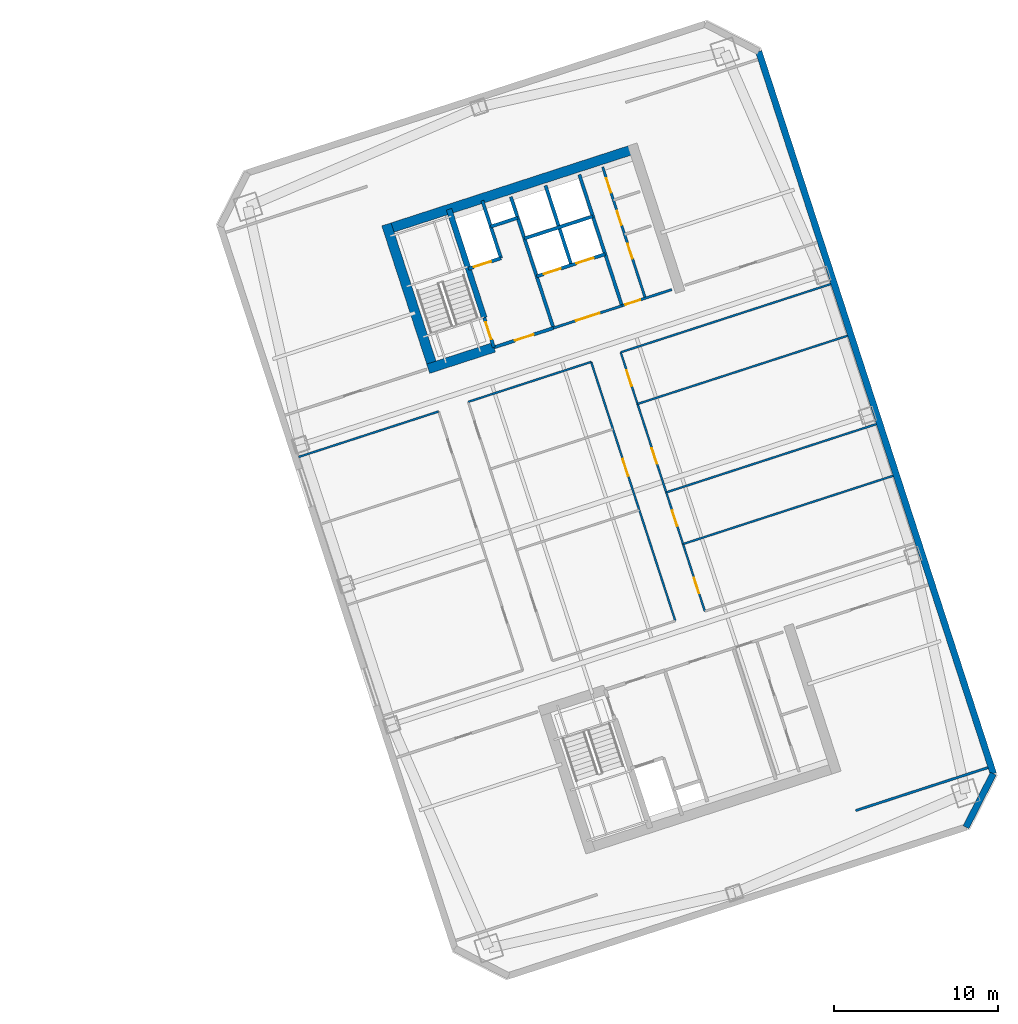
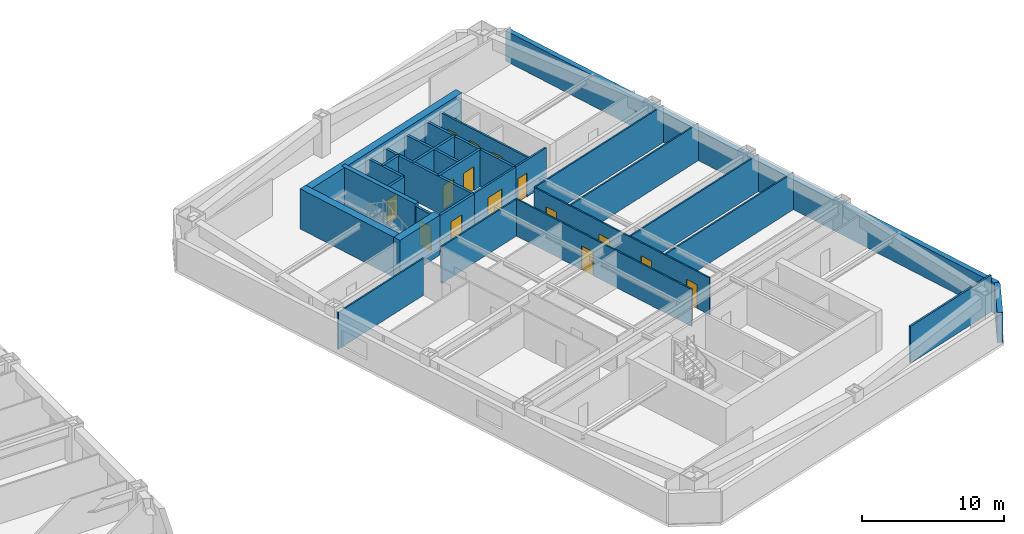
# One storey, part 7 of 11: 28 walls, 15 doors, 15 openings.
"""IFC4 building model written with IfcOpenShell, lengths in metres."""

from ifc_helpers import new_model, si_unit, direction, frame, frame_2d, origin, place, context, subcontext, project, spatial, rectangle, extrude, material, layer, layer_set, type_object, element, fill, save


model = new_model("IFC4")

# Units and contexts
model_context = context("Model", 3, precision=1e-05, world=origin(), true_north=direction((0.0, 1.0)))
body_context = subcontext(model_context, "Body", "Model", "MODEL_VIEW")
ifc_project = project(units=[si_unit("LENGTHUNIT", "METRE"), si_unit("AREAUNIT", "SQUARE_METRE"), si_unit("VOLUMEUNIT", "CUBIC_METRE"), si_unit("PLANEANGLEUNIT", "RADIAN"), si_unit("MASSUNIT", "GRAM", prefix="KILO")], contexts=[model_context])

# Site, building, storey
site_placement = place(None, origin())
site = spatial("IfcSite", under=ifc_project, at=site_placement, CompositionType="ELEMENT")
building_placement = place(site_placement, origin())
building = spatial("IfcBuilding", under=site, at=building_placement, Name="Qiaolan Cultural Towers", CompositionType="ELEMENT")
storey_placement = place(building_placement, frame((0.0, 0.0, 117.300048828125)))
storey = spatial("IfcBuildingStorey", under=building, at=storey_placement, Name="L30", CompositionType="ELEMENT", Elevation=117.300048828125)

# Walls
ifc_material_1 = material(Name="Concrete C50", Category="concrete")
ifc_layer_1 = layer(ifc_material_1, 0.35009765625)
ifc_layer_set_1 = layer_set([ifc_layer_1], Name="Concrete C50")
wall_type_1 = type_object("IfcWallType", Name="WL-CORE-350", PredefinedType="SHEAR", material=ifc_layer_set_1)
wall_1_placement = place(storey_placement, frame((82.513671875, 45.13134765625, 0.0), z_axis=(0.0, 0.0, 1.0), x_axis=(-0.308988790936, 0.951065679686, 0.0)))
element("IfcWall", 1, at=wall_1_placement, inside=storey, type_object=wall_type_1, Name="L30 T2-CN Stair Core Dividing Web", PredefinedType="SHEAR", context=body_context, shape_type="SweptSolid", body=[
    extrude(rectangle(XDim=6.97998046875, YDim=0.35009765625, at=frame_2d((3.489990234375, 0.0))), origin(), (0.0, 0.0, 1.0), 3.449951171875),
])
ifc_material_2 = material(Name="Concrete C55", Category="concrete")
ifc_layer_2 = layer(ifc_material_2, 0.60009765625)
ifc_layer_set_2 = layer_set([ifc_layer_2], Name="Concrete C55")
wall_type_2 = type_object("IfcWallType", Name="WL-CORE-600", PredefinedType="SHEAR", material=ifc_layer_set_2)
wall_2_placement = place(storey_placement, frame((76.343505859375, 50.4658203125, 0.0), z_axis=(0.0, 0.0, 1.0), x_axis=(0.951055727519, 0.309019421968, 0.0)))
element("IfcWall", 2, at=wall_2_placement, inside=storey, type_object=wall_type_2, Name="L30 T2-CN Outer Core Shear Wall", PredefinedType="SHEAR", context=body_context, shape_type="SweptSolid", body=[
    extrude(rectangle(XDim=16.39990234375, YDim=0.60009765625, at=frame_2d((8.199951171875, 0.0))), origin(), (0.0, 0.0, 1.0), 3.449951171875),
])
wall_3_placement = place(storey_placement, frame((79.465576171875, 41.827880859375, 0.0), z_axis=(0.0, 0.0, 1.0), x_axis=(-0.309041232772, 0.951048640421, 0.0)))
element("IfcWall", 3, at=wall_3_placement, inside=storey, type_object=wall_type_2, Name="L30 T2-CN West Core Shear Wall", PredefinedType="SHEAR", context=body_context, shape_type="SweptSolid", body=[
    extrude(rectangle(XDim=9.47998046875, YDim=0.60009765625, at=frame_2d((4.739990234375, 0.0))), origin(), (0.0, 0.0, 1.0), 3.449951171875),
])
wall_4_placement = place(storey_placement, frame((79.08740234375, 42.0205078125, 0.0), z_axis=(0.0, 0.0, 1.0), x_axis=(0.951062550203, 0.3089984233, 0.0)))
element("IfcWall", 4, at=wall_4_placement, inside=storey, type_object=wall_type_2, Name="L30 T2-CN Stair Front Shear Wall", PredefinedType="SHEAR", context=body_context, shape_type="SweptSolid", body=[
    extrude(rectangle(XDim=4.219970703125, YDim=0.60009765625, at=frame_2d((2.10986328125, 0.0))), origin(), (0.0, 0.0, 1.0), 3.449951171875),
])
ifc_material_3 = material(Name="Precast Concrete C50 Honed Stone Pier", Category="masonry")
ifc_layer_3 = layer(ifc_material_3, 0.39990234375)
ifc_layer_set_3 = layer_set([ifc_layer_3], Name="Precast Concrete C50 Honed Stone Pier")
wall_type_3 = type_object("IfcWallType", Name="WL-EXT-PIER-400", PredefinedType="SOLIDWALL", material=ifc_layer_set_3)
wall_5_placement = place(storey_placement, frame((99.2841796875, 61.410400390625, 0.0), z_axis=(0.0, 0.0, 1.0), x_axis=(0.309017542002, -0.95105633836, 0.0)))
element("IfcWall", 5, at=wall_5_placement, inside=storey, type_object=wall_type_3, Name="L30 East Tower Precast Pier Facade Wall F5", PredefinedType="SOLIDWALL", context=body_context, shape_type="SweptSolid", body=[
    extrude(rectangle(XDim=46.39990234375, YDim=0.39990234375, at=frame_2d((23.199951171875, 0.0))), origin(), (0.0, 0.0, 1.0), 2.60986328125),
])
wall_6_placement = place(storey_placement, frame((113.62255859375, 17.281494140625, 0.0), z_axis=(0.0, 0.0, 1.0), x_axis=(-0.454026238093, -0.890988313685, 0.0)))
element("IfcWall", 6, at=wall_6_placement, inside=storey, type_object=wall_type_3, Name="L30 East Tower Precast Pier Facade Wall F6", PredefinedType="SOLIDWALL", context=body_context, shape_type="SweptSolid", body=[
    extrude(rectangle(XDim=3.677001953125, YDim=0.39990234375, at=frame_2d((1.83837890625, 0.0))), origin(), (0.0, 0.0, 1.0), 2.60986328125),
])

# Wall, opening, door
ifc_material_4 = material(Name="Concrete C35 Fire Wall", Category="concrete")
ifc_layer_4 = layer(ifc_material_4, 0.199951171875)
ifc_layer_set_4 = layer_set([ifc_layer_4], Name="Concrete C35 Fire Wall")
wall_type_4 = type_object("IfcWallType", Name="WL-FIRE-200", PredefinedType="PARTITIONING", material=ifc_layer_set_4)
wall_7_placement = place(storey_placement, frame((83.100830078125, 43.324462890625, 0.0), z_axis=(0.0, 0.0, 1.0), x_axis=(-0.309048298632, 0.951046344356, 0.0)))
wall_7 = element("IfcWall", 7, at=wall_7_placement, inside=storey, type_object=wall_type_4, Name="L30 T2-CN Smokeproof Stair Entry Wall", PredefinedType="PARTITIONING", context=body_context, shape_type="SweptSolid", body=[
    extrude(rectangle(XDim=1.89990234375, YDim=0.199951171875, at=frame_2d((0.949951171875, 0.0))), origin(), (0.0, 0.0, 1.0), 3.175048828125),
])
opening_1_placement = place(wall_7_placement, frame((0.52001953125, 0.0, 0.0)))
opening_1 = element("IfcOpeningElement", 8, at=opening_1_placement, cuts=wall_7, Name="Opening FD-04", PredefinedType="OPENING", context=body_context, shape_type="SweptSolid", body=[
    extrude(rectangle(XDim=1.10009765625, YDim=2.050048828125, at=frame_2d((0.550048828125, 1.02490234375))), frame((0.0, 0.10986328125, 0.0), z_axis=(0.0, -1.0, 0.0), x_axis=(1.0, 0.0, 0.0)), (0.0, 0.0, 1.0), 0.219970703125),
])
ifc_material_5 = material(Name="Galvanized Steel Command Fire Door", Category="steel")
door_type_1 = type_object("IfcDoorType", Name="DR-FD90-1100", OperationType="NOTDEFINED", PredefinedType="DOOR", material=ifc_material_5)
door_1_placement = place(opening_1_placement, origin())
door_1 = element("IfcDoor", 9, at=door_1_placement, inside=storey, type_object=door_type_1, Name="L30 ST-E2 Smokeproof Stair Fire Door", OperationType="SINGLE_SWING_LEFT", OverallHeight=2.050048828125, OverallWidth=1.10009765625, PredefinedType="DOOR", context=body_context, shape_type="SweptSolid", body=[
    extrude(rectangle(XDim=1.10009765625, YDim=2.050048828125, at=frame_2d((0.550048828125, 1.02490234375))), frame((0.0, 0.02490234375, 0.0), z_axis=(0.0, -1.0, 0.0), x_axis=(1.0, 0.0, 0.0)), (0.0, 0.0, 1.0), 0.050048828125),
])
fill(opening_1, door_1)

# Wall
wall_8_placement = place(storey_placement, frame((86.743408203125, 44.508056640625, 0.0), z_axis=(0.0, 0.0, 1.0), x_axis=(-0.309016001439, 0.951056838919, 0.0)))
element("IfcWall", 10, at=wall_8_placement, inside=storey, type_object=wall_type_4, Name="L30 T2-CN Firefighting Zone Wall", PredefinedType="PARTITIONING", context=body_context, shape_type="SweptSolid", body=[
    extrude(rectangle(XDim=8.429931640625, YDim=0.199951171875, at=frame_2d((4.21484375, 0.0))), origin(), (0.0, 0.0, 1.0), 3.175048828125),
])

# Wall, opening, door
wall_9_placement = place(storey_placement, frame((83.100830078125, 43.324462890625, 0.0), z_axis=(0.0, 0.0, 1.0), x_axis=(0.951052804469, 0.309028417967, 0.0)))
wall_9 = element("IfcWall", 11, at=wall_9_placement, inside=storey, type_object=wall_type_4, Name="L30 T2-CN Firefighting Lobby Front Wall", PredefinedType="PARTITIONING", context=body_context, shape_type="SweptSolid", body=[
    extrude(rectangle(XDim=3.830078125, YDim=0.199951171875, at=frame_2d((1.9150390625, 0.0))), origin(), (0.0, 0.0, 1.0), 3.175048828125),
])
opening_2_placement = place(wall_9_placement, frame((1.35009765625, 0.0, 0.0)))
opening_2 = element("IfcOpeningElement", 12, at=opening_2_placement, cuts=wall_9, Name="Opening FD-03", PredefinedType="OPENING", context=body_context, shape_type="SweptSolid", body=[
    extrude(rectangle(XDim=1.199951171875, YDim=2.050048828125, at=frame_2d((0.60009765625, 1.02490234375))), frame((0.0, 0.10986328125, 0.0), z_axis=(0.0, -1.0, 0.0), x_axis=(1.0, 0.0, 0.0)), (0.0, 0.0, 1.0), 0.219970703125),
])
ifc_material_6 = material(Name="Galvanized Steel Smokeproof Lobby Fire Door", Category="steel")
door_type_2 = type_object("IfcDoorType", Name="DR-FD90-1200", OperationType="NOTDEFINED", PredefinedType="DOOR", material=ifc_material_6)
door_2_placement = place(opening_2_placement, origin())
door_2 = element("IfcDoor", 13, at=door_2_placement, inside=storey, type_object=door_type_2, Name="L30 FFL-E2 Firefighting Lobby Fire Door", OperationType="SINGLE_SWING_LEFT", OverallHeight=2.050048828125, OverallWidth=1.199951171875, PredefinedType="DOOR", context=body_context, shape_type="SweptSolid", body=[
    extrude(rectangle(XDim=1.199951171875, YDim=2.050048828125, at=frame_2d((0.60009765625, 1.02490234375))), frame((0.0, 0.02490234375, 0.0), z_axis=(0.0, -1.0, 0.0), x_axis=(1.0, 0.0, 0.0)), (0.0, 0.0, 1.0), 0.050048828125),
])
fill(opening_2, door_2)

wall_10_placement = place(storey_placement, frame((81.540283203125, 48.127197265625, 0.0), z_axis=(0.0, 0.0, 1.0), x_axis=(0.951062257173, 0.308999325213, 0.0)))
wall_10 = element("IfcWall", 14, at=wall_10_placement, inside=storey, type_object=wall_type_4, Name="L30 T2-CN Firefighting Shaft Front Wall", PredefinedType="PARTITIONING", context=body_context, shape_type="SweptSolid", body=[
    extrude(rectangle(XDim=2.10009765625, YDim=0.199951171875, at=frame_2d((1.050048828125, 0.0))), origin(), (0.0, 0.0, 1.0), 3.175048828125),
])
opening_3_placement = place(wall_10_placement, frame((0.35009765625, 0.0, 0.0)))
opening_3 = element("IfcOpeningElement", 15, at=opening_3_placement, cuts=wall_10, Name="Opening LD-01", PredefinedType="OPENING", context=body_context, shape_type="SweptSolid", body=[
    extrude(rectangle(XDim=1.10009765625, YDim=2.050048828125, at=frame_2d((0.550048828125, 1.02490234375))), frame((0.0, 0.10986328125, 0.0), z_axis=(0.0, -1.0, 0.0), x_axis=(1.0, 0.0, 0.0)), (0.0, 0.0, 1.0), 0.219970703125),
])
ifc_material_7 = material(Name="Brushed Stainless Steel S30408 Centre-Parting Lift Landing Door", Category="steel")
door_type_3 = type_object("IfcDoorType", Name="DR-LIFT-1100", OperationType="NOTDEFINED", PredefinedType="DOOR", material=ifc_material_7)
door_3_placement = place(opening_3_placement, origin())
door_3 = element("IfcDoor", 16, at=door_3_placement, inside=storey, type_object=door_type_3, Name="L30 FFL-E2 Firefighting Lift Landing Door", OperationType="DOUBLE_DOOR_SLIDING", OverallHeight=2.050048828125, OverallWidth=1.10009765625, PredefinedType="DOOR", context=body_context, shape_type="SweptSolid", body=[
    extrude(rectangle(XDim=1.10009765625, YDim=2.050048828125, at=frame_2d((0.550048828125, 1.02490234375))), frame((0.0, 0.02490234375, 0.0), z_axis=(0.0, -1.0, 0.0), x_axis=(1.0, 0.0, 0.0)), (0.0, 0.0, 1.0), 0.050048828125),
])
fill(opening_3, door_3)

# Walls
wall_11_placement = place(storey_placement, frame((83.53759765625, 48.776123046875, 0.0), z_axis=(0.0, 0.0, 1.0), x_axis=(-0.3089935693, 0.951064127245, 0.0)))
element("IfcWall", 17, at=wall_11_placement, inside=storey, type_object=wall_type_4, Name="L30 T2-CN Firefighting Hoistway East Wall", PredefinedType="PARTITIONING", context=body_context, shape_type="SweptSolid", body=[
    extrude(rectangle(XDim=3.7001953125, YDim=0.199951171875, at=frame_2d((1.85009765625, 0.0))), origin(), (0.0, 0.0, 1.0), 3.175048828125),
])
wall_12_placement = place(storey_placement, frame((82.910400390625, 50.706787109375, 0.0), z_axis=(0.0, 0.0, 1.0), x_axis=(0.951041328149, 0.309063734775, 0.0)))
element("IfcWall", 18, at=wall_12_placement, inside=storey, type_object=wall_type_4, Name="L30 T2-CN Pressurization Shaft Front Wall", PredefinedType="PARTITIONING", context=body_context, shape_type="SweptSolid", body=[
    extrude(rectangle(XDim=1.72998046875, YDim=0.199951171875, at=frame_2d((0.864990234375, 0.0))), origin(), (0.0, 0.0, 1.0), 3.175048828125),
])
wall_13_placement = place(storey_placement, frame((90.92822265625, 45.86767578125, 0.0), z_axis=(0.0, 0.0, 1.0), x_axis=(-0.309042196757, 0.951048327176, 0.0)))
element("IfcWall", 19, at=wall_13_placement, inside=storey, type_object=wall_type_4, Name="L30 T2-CN Lift Core East Wall", PredefinedType="PARTITIONING", context=body_context, shape_type="SweptSolid", body=[
    extrude(rectangle(XDim=8.429931640625, YDim=0.199951171875, at=frame_2d((4.21484375, 0.0))), origin(), (0.0, 0.0, 1.0), 3.175048828125),
])

# Wall, openings, doors
wall_14_placement = place(storey_placement, frame((85.717529296875, 47.66552734375, 0.0), z_axis=(0.0, 0.0, 1.0), x_axis=(0.951058531764, 0.30901079133, 0.0)))
wall_14 = element("IfcWall", 20, at=wall_14_placement, inside=storey, type_object=wall_type_4, Name="L30 T2-CN Passenger Lift Shaft Front Wall", PredefinedType="PARTITIONING", context=body_context, shape_type="SweptSolid", body=[
    extrude(rectangle(XDim=4.39990234375, YDim=0.199951171875, at=frame_2d((2.199951171875, 0.0))), origin(), (0.0, 0.0, 1.0), 3.175048828125),
])
opening_4_placement = place(wall_14_placement, frame((0.449951171875, 0.0, 0.0)))
opening_4 = element("IfcOpeningElement", 21, at=opening_4_placement, cuts=wall_14, Name="Opening LD-01", PredefinedType="OPENING", context=body_context, shape_type="SweptSolid", body=[
    extrude(rectangle(XDim=1.10009765625, YDim=2.050048828125, at=frame_2d((0.550048828125, 1.02490234375))), frame((0.0, 0.10986328125, 0.0), z_axis=(0.0, -1.0, 0.0), x_axis=(1.0, 0.0, 0.0)), (0.0, 0.0, 1.0), 0.219970703125),
])
opening_5_placement = place(wall_14_placement, frame((2.550048828125, 0.0, 0.0)))
opening_5 = element("IfcOpeningElement", 22, at=opening_5_placement, cuts=wall_14, Name="Opening LD-01", PredefinedType="OPENING", context=body_context, shape_type="SweptSolid", body=[
    extrude(rectangle(XDim=1.10009765625, YDim=2.050048828125, at=frame_2d((0.550048828125, 1.02490234375))), frame((0.0, 0.10986328125, 0.0), z_axis=(0.0, -1.0, 0.0), x_axis=(1.0, 0.0, 0.0)), (0.0, 0.0, 1.0), 0.219970703125),
])
door_4_placement = place(opening_4_placement, origin())
door_4 = element("IfcDoor", 23, at=door_4_placement, inside=storey, type_object=door_type_3, Name="L30 Passenger Lift 1 Landing Door", OperationType="DOUBLE_DOOR_SLIDING", OverallHeight=2.050048828125, OverallWidth=1.10009765625, PredefinedType="DOOR", context=body_context, shape_type="SweptSolid", body=[
    extrude(rectangle(XDim=1.10009765625, YDim=2.050048828125, at=frame_2d((0.550048828125, 1.02490234375))), frame((0.0, 0.02490234375, 0.0), z_axis=(0.0, -1.0, 0.0), x_axis=(1.0, 0.0, 0.0)), (0.0, 0.0, 1.0), 0.050048828125),
])
fill(opening_4, door_4)
door_5_placement = place(opening_5_placement, origin())
door_5 = element("IfcDoor", 24, at=door_5_placement, inside=storey, type_object=door_type_3, Name="L30 Passenger Lift 2 Landing Door", OperationType="DOUBLE_DOOR_SLIDING", OverallHeight=2.050048828125, OverallWidth=1.10009765625, PredefinedType="DOOR", context=body_context, shape_type="SweptSolid", body=[
    extrude(rectangle(XDim=1.10009765625, YDim=2.050048828125, at=frame_2d((0.550048828125, 1.02490234375))), frame((0.0, 0.02490234375, 0.0), z_axis=(0.0, -1.0, 0.0), x_axis=(1.0, 0.0, 0.0)), (0.0, 0.0, 1.0), 0.050048828125),
])
fill(opening_5, door_5)

# Walls
wall_15_placement = place(storey_placement, frame((87.83837890625, 48.3544921875, 0.0), z_axis=(0.0, 0.0, 1.0), x_axis=(-0.3090093719, 0.951058992953, 0.0)))
element("IfcWall", 25, at=wall_15_placement, inside=storey, type_object=wall_type_4, Name="L30 T2-CN Lift Shaft Divider Wall", PredefinedType="PARTITIONING", context=body_context, shape_type="SweptSolid", body=[
    extrude(rectangle(XDim=5.110107421875, YDim=0.199951171875, at=frame_2d((2.55517578125, 0.0))), origin(), (0.0, 0.0, 1.0), 3.175048828125),
])
wall_16_placement = place(storey_placement, frame((84.966552734375, 49.9765625, 0.0), z_axis=(0.0, 0.0, 1.0), x_axis=(0.951063829732, 0.308994485023, 0.0)))
element("IfcWall", 26, at=wall_16_placement, inside=storey, type_object=wall_type_4, Name="L30 T2-CN Passenger Lift Shaft Back Wall", PredefinedType="PARTITIONING", context=body_context, shape_type="SweptSolid", body=[
    extrude(rectangle(XDim=4.400146484375, YDim=0.199951171875, at=frame_2d((2.2001953125, 0.0))), origin(), (0.0, 0.0, 1.0), 3.175048828125),
])
ifc_material_8 = material(Name="Gypsum Stud Acoustic Partition", Category="gypsum")
ifc_layer_5 = layer(ifc_material_8, 0.1201171875)
ifc_layer_set_5 = layer_set([ifc_layer_5], Name="Gypsum Stud Acoustic Partition")
wall_type_5 = type_object("IfcWallType", Name="WL-PART-120", PredefinedType="PARTITIONING", material=ifc_layer_set_5)
wall_17_placement = place(storey_placement, frame((71.166015625, 36.628662109375, 0.0), z_axis=(0.0, 0.0, 1.0), x_axis=(0.951059383421, 0.309008170129, 0.0)))
element("IfcWall", 27, at=wall_17_placement, inside=storey, type_object=wall_type_5, Name="L30 T2 Interior Wall", PredefinedType="PARTITIONING", context=body_context, shape_type="SweptSolid", body=[
    extrude(rectangle(XDim=8.999755859375, YDim=0.1201171875, at=frame_2d((4.5, 0.0))), origin(), (0.0, 0.0, 1.0), 3.175048828125),
])
wall_18_placement = place(storey_placement, frame((81.532470703125, 39.996826171875, 0.0), z_axis=(0.0, 0.0, 1.0), x_axis=(0.951048148493, 0.309042746635, 0.0)))
element("IfcWall", 28, at=wall_18_placement, inside=storey, type_object=wall_type_5, Name="L30 T2 Interior Wall", PredefinedType="PARTITIONING", context=body_context, shape_type="SweptSolid", body=[
    extrude(rectangle(XDim=7.89990234375, YDim=0.1201171875, at=frame_2d((3.949951171875, 0.0))), origin(), (0.0, 0.0, 1.0), 3.175048828125),
])
wall_19_placement = place(storey_placement, frame((90.852783203125, 43.025146484375, 0.0), z_axis=(0.0, 0.0, 1.0), x_axis=(0.951054001411, 0.309024734286, 0.0)))
element("IfcWall", 29, at=wall_19_placement, inside=storey, type_object=wall_type_5, Name="L30 T2 Interior Wall", PredefinedType="PARTITIONING", context=body_context, shape_type="SweptSolid", body=[
    extrude(rectangle(XDim=13.500244140625, YDim=0.1201171875, at=frame_2d((6.75, 0.0))), origin(), (0.0, 0.0, 1.0), 3.175048828125),
])

# Wall, opening, door
wall_20_placement = place(storey_placement, frame((94.187744140625, 26.612548828125, 0.0), z_axis=(0.0, 0.0, 1.0), x_axis=(-0.30901773025, 0.951056277195, 0.0)))
wall_20 = element("IfcWall", 30, at=wall_20_placement, inside=storey, type_object=wall_type_5, Name="L30 T2 Interior Wall", PredefinedType="PARTITIONING", context=body_context, shape_type="SweptSolid", body=[
    extrude(rectangle(XDim=16.64013671875, YDim=0.1201171875, at=frame_2d((8.320068359375, 0.0))), origin(), (0.0, 0.0, 1.0), 3.175048828125),
])
opening_6_placement = place(wall_20_placement, frame((9.303955078125, 0.0, 0.0)))
opening_6 = element("IfcOpeningElement", 31, at=opening_6_placement, cuts=wall_20, Name="Opening ID-03", PredefinedType="OPENING", context=body_context, shape_type="SweptSolid", body=[
    extrude(rectangle(XDim=1.10009765625, YDim=2.050048828125, at=frame_2d((0.550048828125, 1.02490234375))), frame((0.0, 0.070068359375, 0.0), z_axis=(0.0, -1.0, 0.0), x_axis=(1.0, 0.0, 0.0)), (0.0, 0.0, 1.0), 0.14013671875),
])
ifc_material_9 = material(Name="Oak Veneer Solid-Core Boardroom Door", Category="timber")
door_type_4 = type_object("IfcDoorType", Name="DR-INT-1100", OperationType="NOTDEFINED", PredefinedType="DOOR", material=ifc_material_9)
door_6_placement = place(opening_6_placement, origin())
door_6 = element("IfcDoor", 32, at=door_6_placement, inside=storey, type_object=door_type_4, Name="L30 T2 Central Study Salon Door", OperationType="SINGLE_SWING_LEFT", OverallHeight=2.050048828125, OverallWidth=1.10009765625, PredefinedType="DOOR", context=body_context, shape_type="SweptSolid", body=[
    extrude(rectangle(XDim=1.10009765625, YDim=2.050048828125, at=frame_2d((0.550048828125, 1.02490234375))), frame((0.0, 0.02490234375, 0.0), z_axis=(0.0, -1.0, 0.0), x_axis=(1.0, 0.0, 0.0)), (0.0, 0.0, 1.0), 0.050048828125),
])
fill(opening_6, door_6)

# Wall, openings, doors
wall_21_placement = place(storey_placement, frame((95.994873046875, 27.19970703125, 0.0), z_axis=(0.0, 0.0, 1.0), x_axis=(-0.309022042254, 0.951054876125, 0.0)))
wall_21 = element("IfcWall", 33, at=wall_21_placement, inside=storey, type_object=wall_type_5, Name="L30 T2 Interior Wall", PredefinedType="PARTITIONING", context=body_context, shape_type="SweptSolid", body=[
    extrude(rectangle(XDim=16.639892578125, YDim=0.1201171875, at=frame_2d((8.31982421875, 0.0))), origin(), (0.0, 0.0, 1.0), 3.175048828125),
])
opening_7_placement = place(wall_21_placement, frame((1.159912109375, 0.0, 0.0)))
opening_7 = element("IfcOpeningElement", 34, at=opening_7_placement, cuts=wall_21, Name="Opening ID-04", PredefinedType="OPENING", context=body_context, shape_type="SweptSolid", body=[
    extrude(rectangle(XDim=1.0, YDim=2.050048828125, at=frame_2d((0.5, 1.02490234375))), frame((0.0, 0.070068359375, 0.0), z_axis=(0.0, -1.0, 0.0), x_axis=(1.0, 0.0, 0.0)), (0.0, 0.0, 1.0), 0.14013671875),
])
opening_8_placement = place(wall_21_placement, frame((5.47998046875, 0.0, 0.0)))
opening_8 = element("IfcOpeningElement", 35, at=opening_8_placement, cuts=wall_21, Name="Opening ID-04", PredefinedType="OPENING", context=body_context, shape_type="SweptSolid", body=[
    extrude(rectangle(XDim=1.0, YDim=2.050048828125, at=frame_2d((0.5, 1.02490234375))), frame((0.0, 0.070068359375, 0.0), z_axis=(0.0, -1.0, 0.0), x_axis=(1.0, 0.0, 0.0)), (0.0, 0.0, 1.0), 0.14013671875),
])
opening_9_placement = place(wall_21_placement, frame((9.47998046875, 0.0, 0.0)))
opening_9 = element("IfcOpeningElement", 36, at=opening_9_placement, cuts=wall_21, Name="Opening ID-04", PredefinedType="OPENING", context=body_context, shape_type="SweptSolid", body=[
    extrude(rectangle(XDim=1.0, YDim=2.050048828125, at=frame_2d((0.5, 1.02490234375))), frame((0.0, 0.070068359375, 0.0), z_axis=(0.0, -1.0, 0.0), x_axis=(1.0, 0.0, 0.0)), (0.0, 0.0, 1.0), 0.14013671875),
])
opening_10_placement = place(wall_21_placement, frame((14.47998046875, 0.0, 0.0)))
opening_10 = element("IfcOpeningElement", 37, at=opening_10_placement, cuts=wall_21, Name="Opening ID-04", PredefinedType="OPENING", context=body_context, shape_type="SweptSolid", body=[
    extrude(rectangle(XDim=1.0, YDim=2.050048828125, at=frame_2d((0.5, 1.02490234375))), frame((0.0, 0.070068359375, 0.0), z_axis=(0.0, -1.0, 0.0), x_axis=(1.0, 0.0, 0.0)), (0.0, 0.0, 1.0), 0.14013671875),
])
ifc_material_10 = material(Name="Oak Veneer Acoustic Office Door", Category="timber")
door_type_5 = type_object("IfcDoorType", Name="DR-INT-1000", OperationType="NOTDEFINED", PredefinedType="DOOR", material=ifc_material_10)
door_7_placement = place(opening_7_placement, origin())
door_7 = element("IfcDoor", 38, at=door_7_placement, inside=storey, type_object=door_type_5, Name="L30 T2 Symposium Room Door", OperationType="SINGLE_SWING_RIGHT", OverallHeight=2.050048828125, OverallWidth=1.0, PredefinedType="DOOR", context=body_context, shape_type="SweptSolid", body=[
    extrude(rectangle(XDim=1.0, YDim=2.050048828125, at=frame_2d((0.5, 1.02490234375))), frame((0.0, 0.02490234375, 0.0), z_axis=(0.0, -1.0, 0.0), x_axis=(1.0, 0.0, 0.0)), (0.0, 0.0, 1.0), 0.050048828125),
])
fill(opening_7, door_7)
door_8_placement = place(opening_8_placement, origin())
door_8 = element("IfcDoor", 39, at=door_8_placement, inside=storey, type_object=door_type_5, Name="L30 T2 Symposium Room Door", OperationType="SINGLE_SWING_RIGHT", OverallHeight=2.050048828125, OverallWidth=1.0, PredefinedType="DOOR", context=body_context, shape_type="SweptSolid", body=[
    extrude(rectangle(XDim=1.0, YDim=2.050048828125, at=frame_2d((0.5, 1.02490234375))), frame((0.0, 0.02490234375, 0.0), z_axis=(0.0, -1.0, 0.0), x_axis=(1.0, 0.0, 0.0)), (0.0, 0.0, 1.0), 0.050048828125),
])
fill(opening_8, door_8)
door_9_placement = place(opening_9_placement, origin())
door_9 = element("IfcDoor", 40, at=door_9_placement, inside=storey, type_object=door_type_5, Name="L30 T2 Symposium Room Door", OperationType="SINGLE_SWING_LEFT", OverallHeight=2.050048828125, OverallWidth=1.0, PredefinedType="DOOR", context=body_context, shape_type="SweptSolid", body=[
    extrude(rectangle(XDim=1.0, YDim=2.050048828125, at=frame_2d((0.5, 1.02490234375))), frame((0.0, 0.02490234375, 0.0), z_axis=(0.0, -1.0, 0.0), x_axis=(1.0, 0.0, 0.0)), (0.0, 0.0, 1.0), 0.050048828125),
])
fill(opening_9, door_9)
door_10_placement = place(opening_10_placement, origin())
door_10 = element("IfcDoor", 41, at=door_10_placement, inside=storey, type_object=door_type_5, Name="L30 T2 Reading Lounge Door", OperationType="SINGLE_SWING_LEFT", OverallHeight=2.050048828125, OverallWidth=1.0, PredefinedType="DOOR", context=body_context, shape_type="SweptSolid", body=[
    extrude(rectangle(XDim=1.0, YDim=2.050048828125, at=frame_2d((0.5, 1.02490234375))), frame((0.0, 0.02490234375, 0.0), z_axis=(0.0, -1.0, 0.0), x_axis=(1.0, 0.0, 0.0)), (0.0, 0.0, 1.0), 0.050048828125),
])
fill(opening_10, door_10)

# Walls
for number, where, z_axis, x_axis, name in (
    (42, (94.659912109375, 31.308349609375, 0.0), (0.0, 0.0, 1.0), (0.951057589409, 0.309013691651, 0.0), "L30 T2 Interior Wall"),
    (43, (93.634033203125, 34.4658203125, 0.0), (0.0, 0.0, 1.0), (0.951057589409, 0.309013691651, 0.0), "L30 T2 Interior Wall"),
):
    element("IfcWall", number, at=place(storey_placement, frame(where, z_axis=z_axis, x_axis=x_axis)), inside=storey, type_object=wall_type_5, Name=name, PredefinedType="PARTITIONING", context=body_context, shape_type="SweptSolid", body=[
        extrude(rectangle(XDim=13.499755859375, YDim=0.1201171875, at=frame_2d((6.75, 0.0))), origin(), (0.0, 0.0, 1.0), 3.175048828125),
    ])
wall_22_placement = place(storey_placement, frame((91.878662109375, 39.86767578125, 0.0), z_axis=(0.0, 0.0, 1.0), x_axis=(0.951054001411, 0.309024734286, 0.0)))
element("IfcWall", 44, at=wall_22_placement, inside=storey, type_object=wall_type_5, Name="L30 T2 Interior Wall", PredefinedType="PARTITIONING", context=body_context, shape_type="SweptSolid", body=[
    extrude(rectangle(XDim=13.500244140625, YDim=0.1201171875, at=frame_2d((6.75, 0.0))), origin(), (0.0, 0.0, 1.0), 3.175048828125),
])

# Wall, opening, door
ifc_material_11 = material(Name="Autoclaved Aerated Concrete Block B06", Category="concrete")
ifc_layer_6 = layer(ifc_material_11, 0.14990234375)
ifc_layer_set_6 = layer_set([ifc_layer_6], Name="Autoclaved Aerated Concrete Block B06")
wall_type_6 = type_object("IfcWallType", Name="WL-PART-150", PredefinedType="PARTITIONING", material=ifc_layer_set_6)
wall_23_placement = place(storey_placement, frame((86.743408203125, 44.508056640625, 0.0), z_axis=(0.0, 0.0, 1.0), x_axis=(0.951063829732, 0.308994485023, 0.0)))
wall_23 = element("IfcWall", 45, at=wall_23_placement, inside=storey, type_object=wall_type_6, Name="L30 T2-CN Passenger Lift Lobby Front Wall", PredefinedType="PARTITIONING", context=body_context, shape_type="SweptSolid", body=[
    extrude(rectangle(XDim=4.400146484375, YDim=0.14990234375, at=frame_2d((2.2001953125, 0.0))), origin(), (0.0, 0.0, 1.0), 3.175048828125),
])
opening_11_placement = place(wall_23_placement, frame((1.449951171875, 0.0, 0.0)))
opening_11 = element("IfcOpeningElement", 46, at=opening_11_placement, cuts=wall_23, Name="Opening FD-05", PredefinedType="OPENING", context=body_context, shape_type="SweptSolid", body=[
    extrude(rectangle(XDim=1.5, YDim=2.050048828125, at=frame_2d((0.75, 1.02490234375))), frame((0.0, 0.0849609375, 0.0), z_axis=(0.0, -1.0, 0.0), x_axis=(1.0, 0.0, 0.0)), (0.0, 0.0, 1.0), 0.169921875),
])
ifc_material_12 = material(Name="Painted Steel Lift Lobby Fire Door", Category="steel")
door_type_6 = type_object("IfcDoorType", Name="DR-FD60-1500", OperationType="NOTDEFINED", PredefinedType="DOOR", material=ifc_material_12)
door_11_placement = place(opening_11_placement, origin())
door_11 = element("IfcDoor", 47, at=door_11_placement, inside=storey, type_object=door_type_6, Name="L30 Passenger Lift Lobby Entrance", OperationType="SINGLE_SWING_LEFT", OverallHeight=2.050048828125, OverallWidth=1.5, PredefinedType="DOOR", context=body_context, shape_type="SweptSolid", body=[
    extrude(rectangle(XDim=1.5, YDim=2.050048828125, at=frame_2d((0.75, 1.02490234375))), frame((0.0, 0.02490234375, 0.0), z_axis=(0.0, -1.0, 0.0), x_axis=(1.0, 0.0, 0.0)), (0.0, 0.0, 1.0), 0.050048828125),
])
fill(opening_11, door_11)

wall_24_placement = place(storey_placement, frame((90.92822265625, 45.86767578125, 0.0), z_axis=(0.0, 0.0, 1.0), x_axis=(0.951059297078, 0.309008435874, 0.0)))
wall_24 = element("IfcWall", 48, at=wall_24_placement, inside=storey, type_object=wall_type_6, Name="L30 T2-CN Sanitary Core Front Wall", PredefinedType="PARTITIONING", context=body_context, shape_type="SweptSolid", body=[
    extrude(rectangle(XDim=3.19970703125, YDim=0.14990234375, at=frame_2d((1.599853515625, 0.0))), origin(), (0.0, 0.0, 1.0), 3.175048828125),
])
opening_12_placement = place(wall_24_placement, frame((0.219970703125, 0.0, 0.0)))
opening_12 = element("IfcOpeningElement", 49, at=opening_12_placement, cuts=wall_24, Name="Opening ID-05", PredefinedType="OPENING", context=body_context, shape_type="SweptSolid", body=[
    extrude(rectangle(XDim=0.949951171875, YDim=2.050048828125, at=frame_2d((0.47509765625, 1.02490234375))), frame((0.0, 0.0849609375, 0.0), z_axis=(0.0, -1.0, 0.0), x_axis=(1.0, 0.0, 0.0)), (0.0, 0.0, 1.0), 0.169921875),
])
ifc_material_13 = material(Name="Fire-Rated Laminate Accessible Core Door", Category="timber")
door_type_7 = type_object("IfcDoorType", Name="DR-INT-950", OperationType="NOTDEFINED", PredefinedType="DOOR", material=ifc_material_13)
door_12_placement = place(opening_12_placement, origin())
door_12 = element("IfcDoor", 50, at=door_12_placement, inside=storey, type_object=door_type_7, Name="L30 Sanitary Vestibule Door", OperationType="SINGLE_SWING_LEFT", OverallHeight=2.050048828125, OverallWidth=0.949951171875, PredefinedType="DOOR", context=body_context, shape_type="SweptSolid", body=[
    extrude(rectangle(XDim=0.949951171875, YDim=2.050048828125, at=frame_2d((0.47509765625, 1.02490234375))), frame((0.0, 0.02490234375, 0.0), z_axis=(0.0, -1.0, 0.0), x_axis=(1.0, 0.0, 0.0)), (0.0, 0.0, 1.0), 0.050048828125),
])
fill(opening_12, door_12)

# Wall, openings, doors
wall_25_placement = place(storey_placement, frame((92.354736328125, 46.3310546875, 0.0), z_axis=(0.0, 0.0, 1.0), x_axis=(-0.309007490203, 0.951059604335, 0.0)))
wall_25 = element("IfcWall", 51, at=wall_25_placement, inside=storey, type_object=wall_type_6, Name="L30 T2-CN Sanitary Vestibule Wall", PredefinedType="PARTITIONING", context=body_context, shape_type="SweptSolid", body=[
    extrude(rectangle(XDim=8.43017578125, YDim=0.14990234375, at=frame_2d((4.215087890625, 0.0))), origin(), (0.0, 0.0, 1.0), 3.175048828125),
])
opening_13_placement = place(wall_25_placement, frame((2.550048828125, 0.0, 0.0)))
opening_13 = element("IfcOpeningElement", 52, at=opening_13_placement, cuts=wall_25, Name="Opening ID-05", PredefinedType="OPENING", context=body_context, shape_type="SweptSolid", body=[
    extrude(rectangle(XDim=0.949951171875, YDim=2.050048828125, at=frame_2d((0.47509765625, 1.02490234375))), frame((0.0, 0.0849609375, 0.0), z_axis=(0.0, -1.0, 0.0), x_axis=(1.0, 0.0, 0.0)), (0.0, 0.0, 1.0), 0.169921875),
])
opening_14_placement = place(wall_25_placement, frame((4.699951171875, 0.0, 0.0)))
opening_14 = element("IfcOpeningElement", 53, at=opening_14_placement, cuts=wall_25, Name="Opening ID-06", PredefinedType="OPENING", context=body_context, shape_type="SweptSolid", body=[
    extrude(rectangle(XDim=0.89990234375, YDim=2.050048828125, at=frame_2d((0.449951171875, 1.02490234375))), frame((0.0, 0.0849609375, 0.0), z_axis=(0.0, -1.0, 0.0), x_axis=(1.0, 0.0, 0.0)), (0.0, 0.0, 1.0), 0.169921875),
])
opening_15_placement = place(wall_25_placement, frame((6.800048828125, 0.0, 0.0)))
opening_15 = element("IfcOpeningElement", 54, at=opening_15_placement, cuts=wall_25, Name="Opening ID-06", PredefinedType="OPENING", context=body_context, shape_type="SweptSolid", body=[
    extrude(rectangle(XDim=0.89990234375, YDim=2.050048828125, at=frame_2d((0.449951171875, 1.02490234375))), frame((0.0, 0.0849609375, 0.0), z_axis=(0.0, -1.0, 0.0), x_axis=(1.0, 0.0, 0.0)), (0.0, 0.0, 1.0), 0.169921875),
])
ifc_material_14 = material(Name="Fire-Rated Laminate Core Service Door", Category="timber")
door_type_8 = type_object("IfcDoorType", Name="DR-INT-900", OperationType="NOTDEFINED", PredefinedType="DOOR", material=ifc_material_14)
door_13_placement = place(opening_14_placement, origin())
door_13 = element("IfcDoor", 55, at=door_13_placement, inside=storey, type_object=door_type_8, Name="L30 Men Washroom Door", OperationType="SINGLE_SWING_LEFT", OverallHeight=2.050048828125, OverallWidth=0.89990234375, PredefinedType="DOOR", context=body_context, shape_type="SweptSolid", body=[
    extrude(rectangle(XDim=0.89990234375, YDim=2.050048828125, at=frame_2d((0.449951171875, 1.02490234375))), frame((0.0, 0.02490234375, 0.0), z_axis=(0.0, -1.0, 0.0), x_axis=(1.0, 0.0, 0.0)), (0.0, 0.0, 1.0), 0.050048828125),
])
fill(opening_14, door_13)
door_14_placement = place(opening_15_placement, origin())
door_14 = element("IfcDoor", 56, at=door_14_placement, inside=storey, type_object=door_type_8, Name="L30 Women Washroom Door", OperationType="SINGLE_SWING_RIGHT", OverallHeight=2.050048828125, OverallWidth=0.89990234375, PredefinedType="DOOR", context=body_context, shape_type="SweptSolid", body=[
    extrude(rectangle(XDim=0.89990234375, YDim=2.050048828125, at=frame_2d((0.449951171875, 1.02490234375))), frame((0.0, 0.02490234375, 0.0), z_axis=(0.0, -1.0, 0.0), x_axis=(1.0, 0.0, 0.0)), (0.0, 0.0, 1.0), 0.050048828125),
])
fill(opening_15, door_14)
door_15_placement = place(opening_13_placement, origin())
door_15 = element("IfcDoor", 57, at=door_15_placement, inside=storey, type_object=door_type_7, Name="L30 Accessible Family Washroom Door", OperationType="SINGLE_SWING_LEFT", OverallHeight=2.050048828125, OverallWidth=0.949951171875, PredefinedType="DOOR", context=body_context, shape_type="SweptSolid", body=[
    extrude(rectangle(XDim=0.949951171875, YDim=2.050048828125, at=frame_2d((0.47509765625, 1.02490234375))), frame((0.0, 0.02490234375, 0.0), z_axis=(0.0, -1.0, 0.0), x_axis=(1.0, 0.0, 0.0)), (0.0, 0.0, 1.0), 0.050048828125),
])
fill(opening_13, door_15)

# Wall
wall_26_placement = place(storey_placement, frame((105.209228515625, 15.02099609375, 0.0), z_axis=(0.0, 0.0, 1.0), x_axis=(0.951054329824, 0.309023723562, 0.0)))
element("IfcWall", 58, at=wall_26_placement, inside=storey, type_object=wall_type_6, Name="L30 T2 Flank Wall FLK-SE", PredefinedType="PARTITIONING", context=body_context, shape_type="SweptSolid", body=[
    extrude(rectangle(XDim=8.5, YDim=0.14990234375, at=frame_2d((4.25, 0.0))), origin(), (0.0, 0.0, 1.0), 3.175048828125),
])

save(model, "model.ifc")
